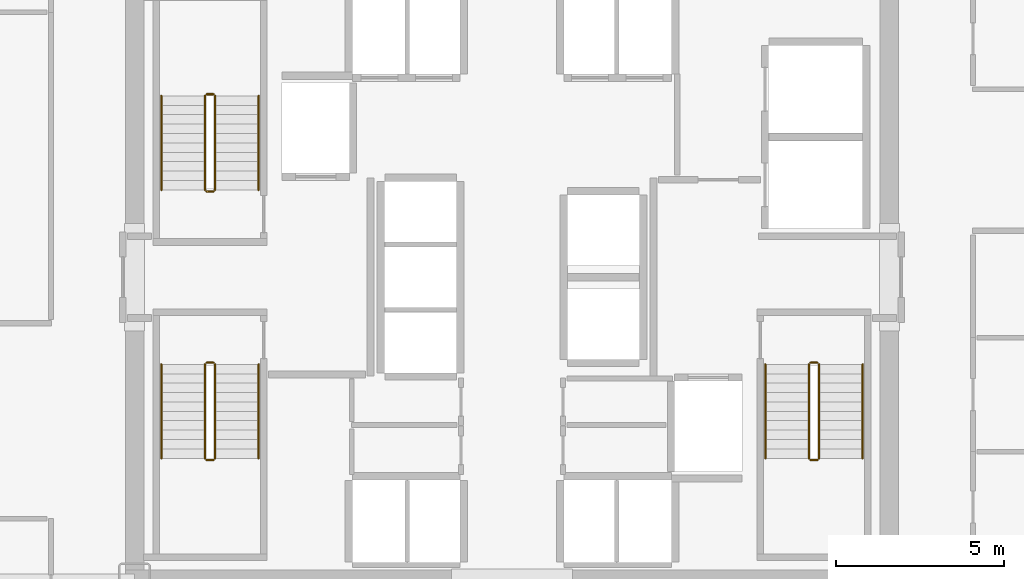
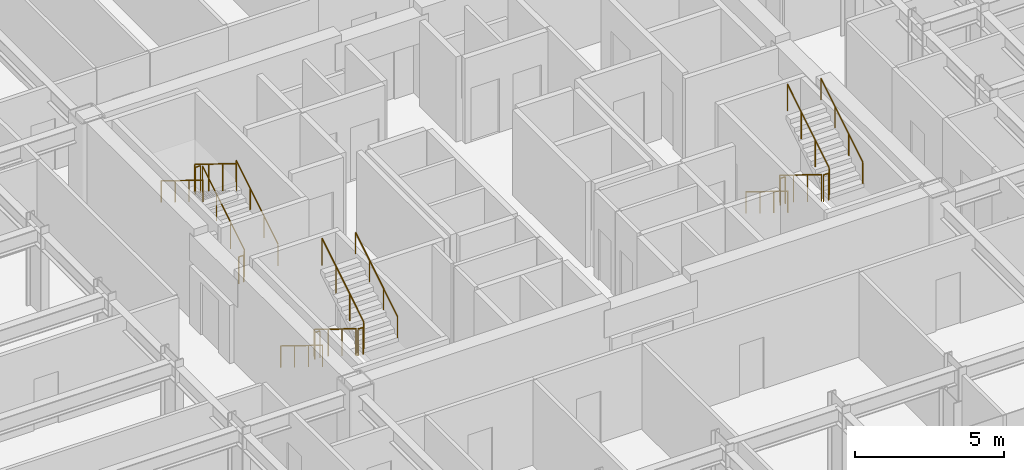
# One storey, part 26 of 26: 18 railings.
"""IFC4 building model written with IfcOpenShell, lengths in metres."""

import ifcopenshell
import ifcopenshell.guid

model = None  # the IFC model being written
_history = None  # IfcOwnerHistory: only IFC2X3 demands one
_inside = {}  # id of a spatial element -> (the spatial element, [elements in it])
_under = {}  # id of a project, library or spatial element -> (it, [spatial elements below it])
_declared = {}  # id of a project -> (the project, [libraries it declares])
_typed = {}  # id of a type object -> (the type object, [elements of that type])
_made_of = {}  # id of a material, layer set ... -> (it, [elements and type objects made of it])


def new_model(schema):
    """Start an empty IFC model of exactly this schema.

    Asked for "IFC4X3", IfcOpenShell would pick the latest addendum, in which some entities
    have other attributes; the version numbers below select the first issue.
    IFC2X3 requires an IfcOwnerHistory on every rooted entity: one is made here for all.
    """
    global model, _history
    if schema == "IFC4X3":
        model = ifcopenshell.file(schema_version=(4, 3, 0, 0))
    else:
        model = ifcopenshell.file(schema=schema)
    _inside.clear()
    _under.clear()
    _declared.clear()
    _typed.clear()
    _made_of.clear()
    _history = None
    if model.schema == "IFC2X3":
        org = make("IfcOrganization", Name="unknown")
        user = make(
            "IfcPersonAndOrganization",
            ThePerson=make("IfcPerson", FamilyName="unknown"),
            TheOrganization=org,
        )
        app = make(
            "IfcApplication",
            ApplicationDeveloper=org,
            Version="unknown",
            ApplicationFullName="unknown",
            ApplicationIdentifier="unknown",
        )
        _history = make(
            "IfcOwnerHistory",
            OwningUser=user,
            OwningApplication=app,
            ChangeAction="ADDED",
            CreationDate=0,
        )
    return model


def make(cls, **values):
    """One entity of the class cls with the attributes given. An attribute that is None is left unset."""
    return model.create_entity(
        cls, **{name: value for name, value in values.items() if value is not None}
    )


def rooted(cls, **values):
    """An entity with a GlobalId (a new one), such as an element, a storey or a relation."""
    return make(cls, GlobalId=ifcopenshell.guid.new(), OwnerHistory=_history, **values)


def si_unit(unit_type, name, prefix=None):
    """IfcSIUnit, for example si_unit("LENGTHUNIT", "METRE", prefix="MILLI")."""
    return make("IfcSIUnit", UnitType=unit_type, Prefix=prefix, Name=name)


def assignment(units):
    """IfcUnitAssignment: the units of a project."""
    return None if units is None else make("IfcUnitAssignment", Units=units)


def point(xyz):
    """IfcCartesianPoint."""
    return None if xyz is None else make("IfcCartesianPoint", Coordinates=xyz)


def direction(xyz):
    """IfcDirection."""
    return None if xyz is None else make("IfcDirection", DirectionRatios=xyz)


def frame(location, z_axis=None, x_axis=None):
    """IfcAxis2Placement3D, a coordinate frame: its origin and axes. An axis left out is left unset."""
    return make(
        "IfcAxis2Placement3D",
        Location=point(location),
        Axis=direction(z_axis),
        RefDirection=direction(x_axis),
    )


def frame_2d(location, x_axis=None):
    """IfcAxis2Placement2D, a coordinate frame in the plane: its origin and x axis."""
    return make(
        "IfcAxis2Placement2D", Location=point(location), RefDirection=direction(x_axis)
    )


def origin():
    """The frame at (0, 0, 0) with its axes left unset."""
    return frame((0.0, 0.0, 0.0))


def origin_2d():
    """The frame at (0, 0) in the plane with its x axis left unset."""
    return frame_2d((0.0, 0.0))


def place(relative_to, where):
    """IfcLocalPlacement: puts the frame where relative to a parent placement (None: the world)."""
    return make(
        "IfcLocalPlacement", PlacementRelTo=relative_to, RelativePlacement=where
    )


def context(
    kind, dimensions, precision=None, world=None, true_north=None, identifier=None
):
    """IfcGeometricRepresentationContext, for example the 3D "Model" context."""
    return make(
        "IfcGeometricRepresentationContext",
        ContextIdentifier=identifier,
        ContextType=kind,
        CoordinateSpaceDimension=dimensions,
        Precision=precision,
        WorldCoordinateSystem=world,
        TrueNorth=true_north,
    )


def subcontext(parent, identifier, kind, view, scale=None):
    """IfcGeometricRepresentationSubContext, for example "Body" below "Model"."""
    return make(
        "IfcGeometricRepresentationSubContext",
        ContextIdentifier=identifier,
        ContextType=kind,
        ParentContext=parent,
        TargetScale=scale,
        TargetView=view,
    )


def project(units=None, contexts=None):
    """IfcProject with its units and contexts."""
    return rooted(
        "IfcProject",
        Name="project",
        RepresentationContexts=contexts,
        UnitsInContext=assignment(units),
    )


def spatial(cls, under=None, at=None, **own):
    """A site, building, storey or space (cls), placed at a placement, below another one or the project."""
    s = rooted(cls, ObjectPlacement=at, **own)
    if under is not None:
        _under.setdefault(under.id(), (under, []))[1].append(s)
    return s


def profile(cls, at=None, kind="AREA", **sizes):
    """A parametric profile (cls). Its sizes go by their IFC names, for example OverallWidth=200.0."""
    return make(cls, ProfileType=kind, Position=at, **sizes)


def circle(**sizes):
    """IfcCircleProfileDef."""
    return profile("IfcCircleProfileDef", **sizes)


def extrude(swept, where, along, depth):
    """IfcExtrudedAreaSolid: the profile swept, set in the frame where, extruded along a direction by depth."""
    return make(
        "IfcExtrudedAreaSolid",
        SweptArea=swept,
        Position=where,
        ExtrudedDirection=direction(along),
        Depth=depth,
    )


def shape(context_of_items, identifier, shape_type, items):
    """IfcShapeRepresentation: the items that make up one representation, for example the "Body"."""
    return make(
        "IfcShapeRepresentation",
        ContextOfItems=context_of_items,
        RepresentationIdentifier=identifier,
        RepresentationType=shape_type,
        Items=items,
    )


def material(Name=None, Category=None):
    """IfcMaterial."""
    return make("IfcMaterial", Name=Name, Category=Category)


def made_of(thing, what):
    """Note that an element or type object is made of a material, layer set ...; save() writes the relation."""
    if what is not None:
        _made_of.setdefault(what.id(), (what, []))[1].append(thing)
    return thing


def type_object(cls, material=None, **own):
    """A type object (cls), such as IfcWallType, which elements share."""
    return made_of(rooted(cls, **own), material)


def element(
    cls,
    number,
    at=None,
    inside=None,
    cuts=None,
    type_object=None,
    material=None,
    context=None,
    identifier="Body",
    shape_type=None,
    held_by="IfcProductDefinitionShape",
    body=None,
    shapes=None,
    **own,
):
    """One element of the class cls, such as IfcWall. Its Tag is "e" and its number.

    at: its placement. inside: the storey or other place that contains it. cuts: it is an
    opening in that element (IfcRelVoidsElement). A single representation is given by context,
    identifier, shape_type and body (its items); several are given by shapes. held_by: the class
    of the entity that holds the representations. save() writes the other relations.
    """
    e = rooted(cls, Tag="e%d" % number, ObjectPlacement=at, **own)
    if body is not None:
        shapes = [shape(context, identifier, shape_type, body)]
    if shapes is not None:
        e.Representation = make(held_by, Representations=shapes)
    if inside is not None:
        _inside.setdefault(inside.id(), (inside, []))[1].append(e)
    if cuts is not None:
        rooted(
            "IfcRelVoidsElement", RelatingBuildingElement=cuts, RelatedOpeningElement=e
        )
    if type_object is not None:
        _typed.setdefault(type_object.id(), (type_object, []))[1].append(e)
    return made_of(e, material)


def aggregate(whole, parts):
    """IfcRelAggregates: a whole, such as a stair, and the parts it consists of."""
    return rooted("IfcRelAggregates", RelatingObject=whole, RelatedObjects=parts)


def save(model, path):
    """Write the relations noted so far, then the file.

    IfcRelAggregates (storeys below a building ...), IfcRelContainedInSpatialStructure (elements
    in a storey), IfcRelDefinesByType, IfcRelAssociatesMaterial and IfcRelDeclares: one each for
    every whole, place, type object, material and project.
    """
    for whole, parts in _under.values():
        aggregate(whole, parts)
    for where, things in _inside.values():
        rooted(
            "IfcRelContainedInSpatialStructure",
            RelatedElements=things,
            RelatingStructure=where,
        )
    for kind, things in _typed.values():
        rooted("IfcRelDefinesByType", RelatedObjects=things, RelatingType=kind)
    for what, things in _made_of.values():
        rooted("IfcRelAssociatesMaterial", RelatedObjects=things, RelatingMaterial=what)
    for by, libraries in _declared.values():
        rooted("IfcRelDeclares", RelatingContext=by, RelatedDefinitions=libraries)
    model.write(path)


model = new_model("IFC4")

# Units and contexts
model_context = context("Model", 3, precision=1e-05, world=origin(), true_north=direction((0.0, 1.0)))
body_context = subcontext(model_context, "Body", "Model", "MODEL_VIEW")
ifc_project = project(units=[si_unit("LENGTHUNIT", "METRE"), si_unit("AREAUNIT", "SQUARE_METRE"), si_unit("VOLUMEUNIT", "CUBIC_METRE"), si_unit("PLANEANGLEUNIT", "RADIAN"), si_unit("MASSUNIT", "GRAM", prefix="KILO")], contexts=[model_context])

# Site, building, storey
site_placement = place(None, origin())
site = spatial("IfcSite", under=ifc_project, at=site_placement, CompositionType="ELEMENT")
building_placement = place(site_placement, origin())
building = spatial("IfcBuilding", under=site, at=building_placement, Name="Nefas-Gora Pilgrimage Tower", CompositionType="ELEMENT")
storey_placement = place(building_placement, frame((0.0, 0.0, 140.199951171875)))
storey = spatial("IfcBuildingStorey", under=building, at=storey_placement, Name="L34", CompositionType="ELEMENT", Elevation=140.199951171875)

# Railings
ifc_material_1 = material(Name="Painted galvanised steel", Category="steel")
railing_type_1 = type_object("IfcRailingType", Name="RLG-STR-GUARD-1100", PredefinedType="GUARDRAIL", material=ifc_material_1)
railing_1_placement = place(storey_placement, frame((-8.85009765625, 2.60009765625, 0.1728515625)))
element("IfcRailing", 1, at=railing_1_placement, inside=storey, type_object=railing_type_1, Name="L34 ST-01 stair guard 1", PredefinedType="GUARDRAIL", context=body_context, shape_type="SweptSolid", body=[
    extrude(circle(Radius=0.02392578125, at=origin_2d()), frame((0.0, 0.0, 1.09619140625), z_axis=(0.0, 0.851069175582, 0.525053576669), x_axis=(-1.0, 0.0, 0.0)), (0.0, 0.0, 1.0), 3.289794921875),
    extrude(circle(Radius=0.02099609375, at=origin_2d()), origin(), (0.0, 0.0, 1.0), 1.072021484375),
    extrude(circle(Radius=0.02099609375, at=origin_2d()), frame((0.0, 0.933349609375, 0.57568359375)), (0.0, 0.0, 1.0), 1.072021484375),
    extrude(circle(Radius=0.02099609375, at=origin_2d()), frame((0.0, 1.866455078125, 1.151611328125)), (0.0, 0.0, 1.0), 1.072021484375),
    extrude(circle(Radius=0.02099609375, at=origin_2d()), frame((0.0, 2.7998046875, 1.727294921875)), (0.0, 0.0, 1.0), 1.072021484375),
])
railing_2_placement = place(storey_placement, frame((-8.89990234375, 5.449951171875, 1.900146484375)))
element("IfcRailing", 2, at=railing_2_placement, inside=storey, type_object=railing_type_1, Name="L34 ST-01 stair guard 2", PredefinedType="GUARDRAIL", context=body_context, shape_type="SweptSolid", body=[
    extrude(circle(Radius=0.02392578125, at=origin_2d()), frame((0.0, 0.0, 1.09619140625), z_axis=(-1.0, 0.0, 0.0), x_axis=(0.0, -1.0, 0.0)), (0.0, 0.0, 1.0), 0.2001953125),
    extrude(circle(Radius=0.02099609375, at=origin_2d()), origin(), (0.0, 0.0, 1.0), 1.072021484375),
    extrude(circle(Radius=0.02099609375, at=origin_2d()), frame((-0.2001953125, 0.0, 0.0)), (0.0, 0.0, 1.0), 1.072021484375),
])
railing_3_placement = place(storey_placement, frame((-9.14990234375, 5.39990234375, 2.07275390625)))
element("IfcRailing", 3, at=railing_3_placement, inside=storey, type_object=railing_type_1, Name="L34 ST-01 stair guard 3", PredefinedType="GUARDRAIL", context=body_context, shape_type="SweptSolid", body=[
    extrude(circle(Radius=0.02392578125, at=origin_2d()), frame((0.0, 0.0, 1.09619140625), z_axis=(0.0, -0.851069175582, 0.525053576669), x_axis=(1.0, 0.0, 0.0)), (0.0, 0.0, 1.0), 3.289794921875),
    extrude(circle(Radius=0.02099609375, at=origin_2d()), origin(), (0.0, 0.0, 1.0), 1.072021484375),
    extrude(circle(Radius=0.02099609375, at=origin_2d()), frame((0.0, -0.933349609375, 0.57568359375)), (0.0, 0.0, 1.0), 1.072021484375),
    extrude(circle(Radius=0.02099609375, at=origin_2d()), frame((0.0, -1.866455078125, 1.151611328125)), (0.0, 0.0, 1.0), 1.072021484375),
    extrude(circle(Radius=0.02099609375, at=origin_2d()), frame((0.0, -2.7998046875, 1.727294921875)), (0.0, 0.0, 1.0), 1.072021484375),
])
railing_4_placement = place(storey_placement, frame((-8.89990234375, 2.550048828125, 0.0)))
element("IfcRailing", 4, at=railing_4_placement, inside=storey, type_object=railing_type_1, Name="L34 ST-01 stair guard 4", PredefinedType="GUARDRAIL", context=body_context, shape_type="SweptSolid", body=[
    extrude(circle(Radius=0.02392578125, at=origin_2d()), frame((0.0, 0.0, 1.09619140625), z_axis=(-1.0, 0.0, 0.0), x_axis=(0.0, -1.0, 0.0)), (0.0, 0.0, 1.0), 0.2001953125),
    extrude(circle(Radius=0.02099609375, at=origin_2d()), origin(), (0.0, 0.0, 1.0), 1.072021484375),
    extrude(circle(Radius=0.02099609375, at=origin_2d()), frame((-0.2001953125, 0.0, 0.0)), (0.0, 0.0, 1.0), 1.072021484375),
])
railing_5_placement = place(storey_placement, frame((8.85009765625, -2.60009765625, 0.1728515625)))
element("IfcRailing", 5, at=railing_5_placement, inside=storey, type_object=railing_type_1, Name="L34 ST-02 stair guard 1", PredefinedType="GUARDRAIL", context=body_context, shape_type="SweptSolid", body=[
    extrude(circle(Radius=0.02392578125, at=origin_2d()), frame((0.0, 0.0, 1.09619140625), z_axis=(0.0, -0.851069175582, 0.525053576669), x_axis=(1.0, 0.0, 0.0)), (0.0, 0.0, 1.0), 3.289794921875),
    extrude(circle(Radius=0.02099609375, at=origin_2d()), origin(), (0.0, 0.0, 1.0), 1.072021484375),
    extrude(circle(Radius=0.02099609375, at=origin_2d()), frame((0.0, -0.933349609375, 0.57568359375)), (0.0, 0.0, 1.0), 1.072021484375),
    extrude(circle(Radius=0.02099609375, at=origin_2d()), frame((0.0, -1.866455078125, 1.151611328125)), (0.0, 0.0, 1.0), 1.072021484375),
    extrude(circle(Radius=0.02099609375, at=origin_2d()), frame((0.0, -2.7998046875, 1.727294921875)), (0.0, 0.0, 1.0), 1.072021484375),
])
railing_6_placement = place(storey_placement, frame((8.89990234375, -5.449951171875, 1.900146484375)))
element("IfcRailing", 6, at=railing_6_placement, inside=storey, type_object=railing_type_1, Name="L34 ST-02 stair guard 2", PredefinedType="GUARDRAIL", context=body_context, shape_type="SweptSolid", body=[
    extrude(circle(Radius=0.02392578125, at=origin_2d()), frame((0.0, 0.0, 1.09619140625), z_axis=(1.0, 0.0, 0.0), x_axis=(0.0, 1.0, 0.0)), (0.0, 0.0, 1.0), 0.2001953125),
    extrude(circle(Radius=0.02099609375, at=origin_2d()), origin(), (0.0, 0.0, 1.0), 1.072021484375),
    extrude(circle(Radius=0.02099609375, at=origin_2d()), frame((0.2001953125, 0.0, 0.0)), (0.0, 0.0, 1.0), 1.072021484375),
])
railing_7_placement = place(storey_placement, frame((9.14990234375, -5.39990234375, 2.07275390625)))
element("IfcRailing", 7, at=railing_7_placement, inside=storey, type_object=railing_type_1, Name="L34 ST-02 stair guard 3", PredefinedType="GUARDRAIL", context=body_context, shape_type="SweptSolid", body=[
    extrude(circle(Radius=0.02392578125, at=origin_2d()), frame((0.0, 0.0, 1.09619140625), z_axis=(0.0, 0.851069175582, 0.525053576669), x_axis=(-1.0, 0.0, 0.0)), (0.0, 0.0, 1.0), 3.289794921875),
    extrude(circle(Radius=0.02099609375, at=origin_2d()), origin(), (0.0, 0.0, 1.0), 1.072021484375),
    extrude(circle(Radius=0.02099609375, at=origin_2d()), frame((0.0, 0.933349609375, 0.57568359375)), (0.0, 0.0, 1.0), 1.072021484375),
    extrude(circle(Radius=0.02099609375, at=origin_2d()), frame((0.0, 1.866455078125, 1.151611328125)), (0.0, 0.0, 1.0), 1.072021484375),
    extrude(circle(Radius=0.02099609375, at=origin_2d()), frame((0.0, 2.7998046875, 1.727294921875)), (0.0, 0.0, 1.0), 1.072021484375),
])
railing_8_placement = place(storey_placement, frame((8.89990234375, -2.550048828125, 0.0)))
element("IfcRailing", 8, at=railing_8_placement, inside=storey, type_object=railing_type_1, Name="L34 ST-02 stair guard 4", PredefinedType="GUARDRAIL", context=body_context, shape_type="SweptSolid", body=[
    extrude(circle(Radius=0.02392578125, at=origin_2d()), frame((0.0, 0.0, 1.09619140625), z_axis=(1.0, 0.0, 0.0), x_axis=(0.0, 1.0, 0.0)), (0.0, 0.0, 1.0), 0.2001953125),
    extrude(circle(Radius=0.02099609375, at=origin_2d()), origin(), (0.0, 0.0, 1.0), 1.072021484375),
    extrude(circle(Radius=0.02099609375, at=origin_2d()), frame((0.2001953125, 0.0, 0.0)), (0.0, 0.0, 1.0), 1.072021484375),
])
railing_9_placement = place(storey_placement, frame((-9.14990234375, -2.60009765625, 0.1728515625)))
element("IfcRailing", 9, at=railing_9_placement, inside=storey, type_object=railing_type_1, Name="L34 ST-03 stair guard 1", PredefinedType="GUARDRAIL", context=body_context, shape_type="SweptSolid", body=[
    extrude(circle(Radius=0.02392578125, at=origin_2d()), frame((0.0, 0.0, 1.09619140625), z_axis=(0.0, -0.851069175582, 0.525053576669), x_axis=(1.0, 0.0, 0.0)), (0.0, 0.0, 1.0), 3.289794921875),
    extrude(circle(Radius=0.02099609375, at=origin_2d()), origin(), (0.0, 0.0, 1.0), 1.072021484375),
    extrude(circle(Radius=0.02099609375, at=origin_2d()), frame((0.0, -0.933349609375, 0.57568359375)), (0.0, 0.0, 1.0), 1.072021484375),
    extrude(circle(Radius=0.02099609375, at=origin_2d()), frame((0.0, -1.866455078125, 1.151611328125)), (0.0, 0.0, 1.0), 1.072021484375),
    extrude(circle(Radius=0.02099609375, at=origin_2d()), frame((0.0, -2.7998046875, 1.727294921875)), (0.0, 0.0, 1.0), 1.072021484375),
])
railing_10_placement = place(storey_placement, frame((-9.10009765625, -5.449951171875, 1.900146484375)))
element("IfcRailing", 10, at=railing_10_placement, inside=storey, type_object=railing_type_1, Name="L34 ST-03 stair guard 2", PredefinedType="GUARDRAIL", context=body_context, shape_type="SweptSolid", body=[
    extrude(circle(Radius=0.02392578125, at=origin_2d()), frame((0.0, 0.0, 1.09619140625), z_axis=(1.0, 0.0, 0.0), x_axis=(0.0, 1.0, 0.0)), (0.0, 0.0, 1.0), 0.2001953125),
    extrude(circle(Radius=0.02099609375, at=origin_2d()), origin(), (0.0, 0.0, 1.0), 1.072021484375),
    extrude(circle(Radius=0.02099609375, at=origin_2d()), frame((0.2001953125, 0.0, 0.0)), (0.0, 0.0, 1.0), 1.072021484375),
])
railing_11_placement = place(storey_placement, frame((-8.85009765625, -5.39990234375, 2.07275390625)))
element("IfcRailing", 11, at=railing_11_placement, inside=storey, type_object=railing_type_1, Name="L34 ST-03 stair guard 3", PredefinedType="GUARDRAIL", context=body_context, shape_type="SweptSolid", body=[
    extrude(circle(Radius=0.02392578125, at=origin_2d()), frame((0.0, 0.0, 1.09619140625), z_axis=(0.0, 0.851069175582, 0.525053576669), x_axis=(-1.0, 0.0, 0.0)), (0.0, 0.0, 1.0), 3.289794921875),
    extrude(circle(Radius=0.02099609375, at=origin_2d()), origin(), (0.0, 0.0, 1.0), 1.072021484375),
    extrude(circle(Radius=0.02099609375, at=origin_2d()), frame((0.0, 0.933349609375, 0.57568359375)), (0.0, 0.0, 1.0), 1.072021484375),
    extrude(circle(Radius=0.02099609375, at=origin_2d()), frame((0.0, 1.866455078125, 1.151611328125)), (0.0, 0.0, 1.0), 1.072021484375),
    extrude(circle(Radius=0.02099609375, at=origin_2d()), frame((0.0, 2.7998046875, 1.727294921875)), (0.0, 0.0, 1.0), 1.072021484375),
])
railing_12_placement = place(storey_placement, frame((-9.10009765625, -2.550048828125, 0.0)))
element("IfcRailing", 12, at=railing_12_placement, inside=storey, type_object=railing_type_1, Name="L34 ST-03 stair guard 4", PredefinedType="GUARDRAIL", context=body_context, shape_type="SweptSolid", body=[
    extrude(circle(Radius=0.02392578125, at=origin_2d()), frame((0.0, 0.0, 1.09619140625), z_axis=(1.0, 0.0, 0.0), x_axis=(0.0, 1.0, 0.0)), (0.0, 0.0, 1.0), 0.2001953125),
    extrude(circle(Radius=0.02099609375, at=origin_2d()), origin(), (0.0, 0.0, 1.0), 1.072021484375),
    extrude(circle(Radius=0.02099609375, at=origin_2d()), frame((0.2001953125, 0.0, 0.0)), (0.0, 0.0, 1.0), 1.072021484375),
])
ifc_material_2 = material(Name="Brushed stainless steel", Category="steel")
railing_type_2 = type_object("IfcRailingType", Name="RLG-STR-HAND-900", PredefinedType="HANDRAIL", material=ifc_material_2)
railing_13_placement = place(storey_placement, frame((-7.550048828125, 2.60009765625, 0.1728515625)))
element("IfcRailing", 13, at=railing_13_placement, inside=storey, type_object=railing_type_2, Name="L34 ST-01 stair handrail 1", PredefinedType="HANDRAIL", context=body_context, shape_type="SweptSolid", body=[
    extrude(circle(Radius=0.02392578125, at=origin_2d()), frame((0.0, 0.0, 0.8759765625), z_axis=(0.0, 0.851069175582, 0.525053576669), x_axis=(-1.0, 0.0, 0.0)), (0.0, 0.0, 1.0), 3.289794921875),
    extrude(circle(Radius=0.02099609375, at=origin_2d()), origin(), (0.0, 0.0, 1.0), 0.851806640625),
    extrude(circle(Radius=0.02099609375, at=origin_2d()), frame((0.0, 0.933349609375, 0.57568359375)), (0.0, 0.0, 1.0), 0.851806640625),
    extrude(circle(Radius=0.02099609375, at=origin_2d()), frame((0.0, 1.866455078125, 1.151611328125)), (0.0, 0.0, 1.0), 0.851806640625),
    extrude(circle(Radius=0.02099609375, at=origin_2d()), frame((0.0, 2.7998046875, 1.727294921875)), (0.0, 0.0, 1.0), 0.851806640625),
])
for number, where, name in (
    (14, (-10.449951171875, 5.39990234375, 2.07275390625), "L34 ST-01 stair handrail 2"),
    (15, (7.550048828125, -2.60009765625, 0.1728515625), "L34 ST-02 stair handrail 1"),
):
    element("IfcRailing", number, at=place(storey_placement, frame(where)), inside=storey, type_object=railing_type_2, Name=name, PredefinedType="HANDRAIL", context=body_context, shape_type="SweptSolid", body=[
        extrude(circle(Radius=0.02392578125, at=origin_2d()), frame((0.0, 0.0, 0.8759765625), z_axis=(0.0, -0.851069175582, 0.525053576669), x_axis=(1.0, 0.0, 0.0)), (0.0, 0.0, 1.0), 3.289794921875),
        extrude(circle(Radius=0.02099609375, at=origin_2d()), origin(), (0.0, 0.0, 1.0), 0.851806640625),
        extrude(circle(Radius=0.02099609375, at=origin_2d()), frame((0.0, -0.933349609375, 0.57568359375)), (0.0, 0.0, 1.0), 0.851806640625),
        extrude(circle(Radius=0.02099609375, at=origin_2d()), frame((0.0, -1.866455078125, 1.151611328125)), (0.0, 0.0, 1.0), 0.851806640625),
        extrude(circle(Radius=0.02099609375, at=origin_2d()), frame((0.0, -2.7998046875, 1.727294921875)), (0.0, 0.0, 1.0), 0.851806640625),
    ])
railing_14_placement = place(storey_placement, frame((10.449951171875, -5.39990234375, 2.07275390625)))
element("IfcRailing", 16, at=railing_14_placement, inside=storey, type_object=railing_type_2, Name="L34 ST-02 stair handrail 2", PredefinedType="HANDRAIL", context=body_context, shape_type="SweptSolid", body=[
    extrude(circle(Radius=0.02392578125, at=origin_2d()), frame((0.0, 0.0, 0.8759765625), z_axis=(0.0, 0.851069175582, 0.525053576669), x_axis=(-1.0, 0.0, 0.0)), (0.0, 0.0, 1.0), 3.289794921875),
    extrude(circle(Radius=0.02099609375, at=origin_2d()), origin(), (0.0, 0.0, 1.0), 0.851806640625),
    extrude(circle(Radius=0.02099609375, at=origin_2d()), frame((0.0, 0.933349609375, 0.57568359375)), (0.0, 0.0, 1.0), 0.851806640625),
    extrude(circle(Radius=0.02099609375, at=origin_2d()), frame((0.0, 1.866455078125, 1.151611328125)), (0.0, 0.0, 1.0), 0.851806640625),
    extrude(circle(Radius=0.02099609375, at=origin_2d()), frame((0.0, 2.7998046875, 1.727294921875)), (0.0, 0.0, 1.0), 0.851806640625),
])
railing_15_placement = place(storey_placement, frame((-10.449951171875, -2.60009765625, 0.1728515625)))
element("IfcRailing", 17, at=railing_15_placement, inside=storey, type_object=railing_type_2, Name="L34 ST-03 stair handrail 1", PredefinedType="HANDRAIL", context=body_context, shape_type="SweptSolid", body=[
    extrude(circle(Radius=0.02392578125, at=origin_2d()), frame((0.0, 0.0, 0.8759765625), z_axis=(0.0, -0.851069175582, 0.525053576669), x_axis=(1.0, 0.0, 0.0)), (0.0, 0.0, 1.0), 3.289794921875),
    extrude(circle(Radius=0.02099609375, at=origin_2d()), origin(), (0.0, 0.0, 1.0), 0.851806640625),
    extrude(circle(Radius=0.02099609375, at=origin_2d()), frame((0.0, -0.933349609375, 0.57568359375)), (0.0, 0.0, 1.0), 0.851806640625),
    extrude(circle(Radius=0.02099609375, at=origin_2d()), frame((0.0, -1.866455078125, 1.151611328125)), (0.0, 0.0, 1.0), 0.851806640625),
    extrude(circle(Radius=0.02099609375, at=origin_2d()), frame((0.0, -2.7998046875, 1.727294921875)), (0.0, 0.0, 1.0), 0.851806640625),
])
railing_16_placement = place(storey_placement, frame((-7.550048828125, -5.39990234375, 2.07275390625)))
element("IfcRailing", 18, at=railing_16_placement, inside=storey, type_object=railing_type_2, Name="L34 ST-03 stair handrail 2", PredefinedType="HANDRAIL", context=body_context, shape_type="SweptSolid", body=[
    extrude(circle(Radius=0.02392578125, at=origin_2d()), frame((0.0, 0.0, 0.8759765625), z_axis=(0.0, 0.851069175582, 0.525053576669), x_axis=(-1.0, 0.0, 0.0)), (0.0, 0.0, 1.0), 3.289794921875),
    extrude(circle(Radius=0.02099609375, at=origin_2d()), origin(), (0.0, 0.0, 1.0), 0.851806640625),
    extrude(circle(Radius=0.02099609375, at=origin_2d()), frame((0.0, 0.933349609375, 0.57568359375)), (0.0, 0.0, 1.0), 0.851806640625),
    extrude(circle(Radius=0.02099609375, at=origin_2d()), frame((0.0, 1.866455078125, 1.151611328125)), (0.0, 0.0, 1.0), 0.851806640625),
    extrude(circle(Radius=0.02099609375, at=origin_2d()), frame((0.0, 2.7998046875, 1.727294921875)), (0.0, 0.0, 1.0), 0.851806640625),
])

save(model, "model.ifc")
